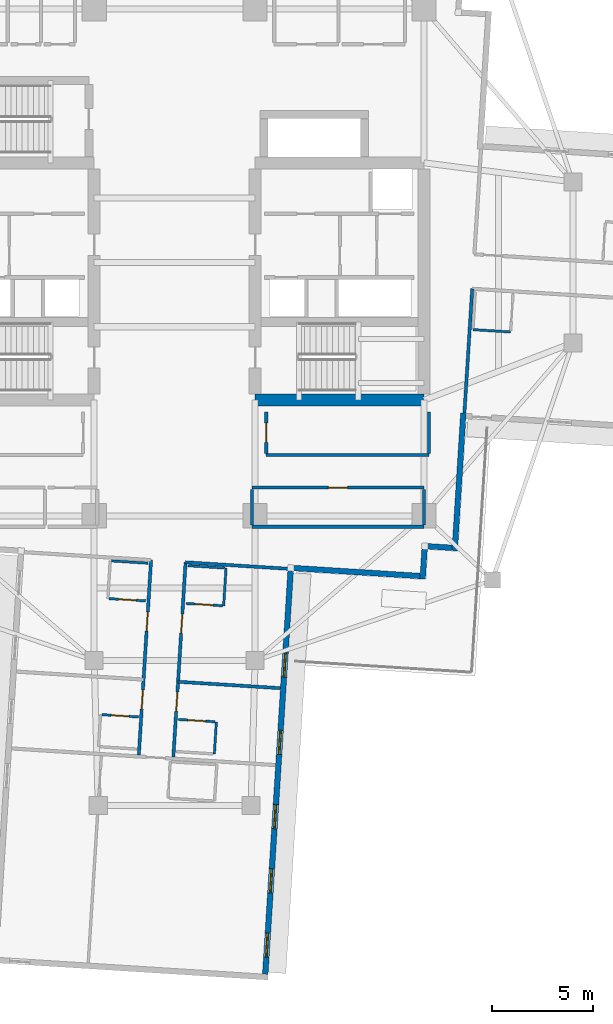
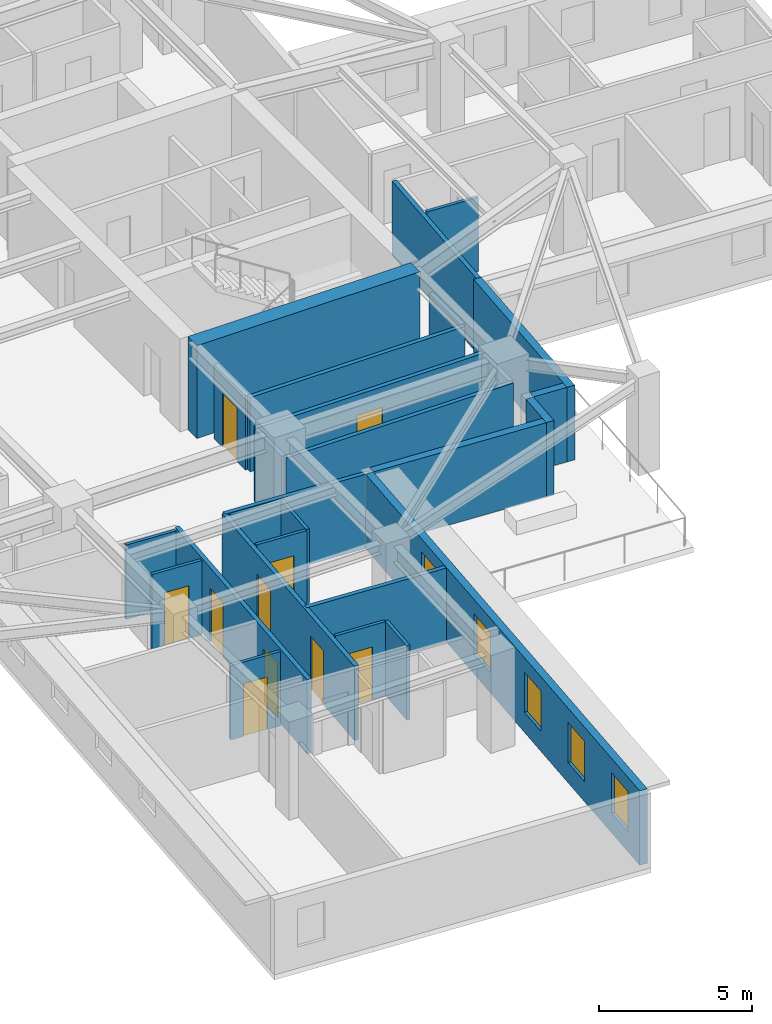
# One storey, part 4 of 14: 27 walls, 10 doors, 5 windows, 15 openings.
"""IFC4 building model written with IfcOpenShell, lengths in metres."""

from ifc_helpers import new_model, si_unit, direction, frame, frame_2d, origin, place, context, subcontext, project, spatial, rectangle, extrude, material, layer, layer_set, type_object, element, fill, save


model = new_model("IFC4")

# Units and contexts
model_context = context("Model", 3, precision=1e-05, world=origin(), true_north=direction((0.0, 1.0)))
body_context = subcontext(model_context, "Body", "Model", "MODEL_VIEW")
ifc_project = project(units=[si_unit("LENGTHUNIT", "METRE"), si_unit("AREAUNIT", "SQUARE_METRE"), si_unit("VOLUMEUNIT", "CUBIC_METRE"), si_unit("PLANEANGLEUNIT", "RADIAN"), si_unit("MASSUNIT", "GRAM", prefix="KILO")], contexts=[model_context])

# Site, building, storey
site_placement = place(None, origin())
site = spatial("IfcSite", under=ifc_project, at=site_placement, CompositionType="ELEMENT")
building_placement = place(site_placement, origin())
building = spatial("IfcBuilding", under=site, at=building_placement, Name="Qingluan Cross Belvedere", CompositionType="ELEMENT")
storey_placement = place(building_placement, frame((0.0, 0.0, 168.300048828125)))
storey = spatial("IfcBuildingStorey", under=building, at=storey_placement, Name="L42", CompositionType="ELEMENT", Elevation=168.300048828125)

# Walls
ifc_material_1 = material(Name="Concrete C60", Category="concrete")
ifc_layer_1 = layer(ifc_material_1, 0.60009765625, Name="CoreShearWall_600")
ifc_layer_set_1 = layer_set([ifc_layer_1], Name="Concrete C60")
wall_type_1 = type_object("IfcWallType", Name="CoreShearWall_600", PredefinedType="SHEAR", material=ifc_layer_set_1)
wall_1_placement = place(storey_placement, frame((4.0, -6.85009765625, 0.0), z_axis=(0.0, 0.0, 1.0), x_axis=(1.0, 0.0, 0.0)))
element("IfcWall", 1, at=wall_1_placement, inside=storey, type_object=wall_type_1, Name="Split core E shear wall L42-S", PredefinedType="SHEAR", context=body_context, shape_type="SweptSolid", body=[
    extrude(rectangle(XDim=8.39990234375, YDim=0.60009765625, at=frame_2d((4.199951171875, 0.0))), origin(), (0.0, 0.0, 1.0), 3.699951171875),
])
ifc_material_2 = material(Name="Gypsum plasterboard on steel stud acoustic partition", Category="steel")
ifc_layer_2 = layer(ifc_material_2, 0.159912109375, Name="CorridorPartition_160")
ifc_layer_set_2 = layer_set([ifc_layer_2], Name="Gypsum plasterboard on steel stud acoustic partition")
wall_type_2 = type_object("IfcWallType", Name="CorridorPartition_160", PredefinedType="PARTITIONING", material=ifc_layer_set_2)
wall_2_placement = place(storey_placement, frame((3.85009765625, -13.14990234375, 0.0), z_axis=(0.0, 0.0, 1.0), x_axis=(1.0, 0.0, 0.0)))
element("IfcWall", 2, at=wall_2_placement, inside=storey, type_object=wall_type_2, Name="Partition L42:q_se:S", PredefinedType="PARTITIONING", context=body_context, shape_type="SweptSolid", body=[
    extrude(rectangle(XDim=8.5498046875, YDim=0.159912109375, at=frame_2d((4.27490234375, 0.0))), origin(), (0.0, 0.0, 1.0), 2.9599609375),
])

# Wall, opening, door
wall_3_placement = place(storey_placement, frame((3.85009765625, -11.199951171875, 0.0), z_axis=(0.0, 0.0, 1.0), x_axis=(1.0, 0.0, 0.0)))
wall_3 = element("IfcWall", 3, at=wall_3_placement, inside=storey, type_object=wall_type_2, Name="Partition L42:q_se:N", PredefinedType="PARTITIONING", context=body_context, shape_type="SweptSolid", body=[
    extrude(rectangle(XDim=8.5498046875, YDim=0.159912109375, at=frame_2d((4.27490234375, 0.0))), origin(), (0.0, 0.0, 1.0), 2.9599609375),
])
opening_1_placement = place(wall_3_placement, frame((3.794921875, 0.0, 0.0)))
opening_1 = element("IfcOpeningElement", 4, at=opening_1_placement, cuts=wall_3, Name="Opening GD-10", PredefinedType="OPENING", context=body_context, shape_type="SweptSolid", body=[
    extrude(rectangle(XDim=0.9599609375, YDim=2.14990234375, at=frame_2d((0.47998046875, 1.074951171875))), frame((0.0, 0.08984375, 0.0), z_axis=(0.0, -1.0, 0.0), x_axis=(1.0, 0.0, 0.0)), (0.0, 0.0, 1.0), 0.179931640625),
])
ifc_material_3 = material(Name="Timber oak fire-rated acoustic guestroom door", Category="wood")
door_type_1 = type_object("IfcDoorType", Name="GuestEntryDoor_FD60", OperationType="NOTDEFINED", PredefinedType="DOOR", material=ifc_material_3)
door_1_placement = place(opening_1_placement, origin())
door_1 = element("IfcDoor", 5, at=door_1_placement, inside=storey, type_object=door_type_1, Name="Green tea pantry L42 door", OperationType="SINGLE_SWING_LEFT", OverallHeight=2.14990234375, OverallWidth=0.9599609375, PredefinedType="DOOR", context=body_context, shape_type="SweptSolid", body=[
    extrude(rectangle(XDim=0.9599609375, YDim=2.14990234375, at=frame_2d((0.47998046875, 1.074951171875))), frame((0.0, 0.02490234375, 0.0), z_axis=(0.0, -1.0, 0.0), x_axis=(1.0, 0.0, 0.0)), (0.0, 0.0, 1.0), 0.050048828125),
])
fill(opening_1, door_1)

# Walls
for number, where, z_axis, x_axis, name in (
    (6, (3.85009765625, -13.06494140625, 0.0), (0.0, 0.0, 1.0), (0.0, 1.0, 0.0), "Partition L42:q_se:W"),
    (7, (12.39990234375, -13.06494140625, 0.0), (0.0, 0.0, 1.0), (0.0, 1.0, 0.0), "Partition L42:q_se:E"),
):
    element("IfcWall", number, at=place(storey_placement, frame(where, z_axis=z_axis, x_axis=x_axis)), inside=storey, type_object=wall_type_2, Name=name, PredefinedType="PARTITIONING", context=body_context, shape_type="SweptSolid", body=[
        extrude(rectangle(XDim=1.780029296875, YDim=0.159912109375, at=frame_2d((0.89013671875, 0.0))), origin(), (0.0, 0.0, 1.0), 2.9599609375),
    ])
wall_4_placement = place(storey_placement, frame((4.550048828125, -9.580078125, 0.0), z_axis=(0.0, 0.0, 1.0), x_axis=(1.0, 0.0, 0.0)))
element("IfcWall", 8, at=wall_4_placement, inside=storey, type_object=wall_type_2, Name="Partition L42:rec_st4:S", PredefinedType="PARTITIONING", context=body_context, shape_type="SweptSolid", body=[
    extrude(rectangle(XDim=8.099853515625, YDim=0.159912109375, at=frame_2d((4.0498046875, 0.0))), origin(), (0.0, 0.0, 1.0), 2.9599609375),
])

# Wall, opening, door
wall_5_placement = place(storey_placement, frame((4.550048828125, -9.4951171875, 0.0), z_axis=(0.0, 0.0, 1.0), x_axis=(0.0, 1.0, 0.0)))
wall_5 = element("IfcWall", 9, at=wall_5_placement, inside=storey, type_object=wall_type_2, Name="Partition L42:rec_st4:W", PredefinedType="PARTITIONING", context=body_context, shape_type="SweptSolid", body=[
    extrude(rectangle(XDim=2.06005859375, YDim=0.159912109375, at=frame_2d((1.030029296875, 0.0))), origin(), (0.0, 0.0, 1.0), 2.9599609375),
])
opening_2_placement = place(wall_5_placement, frame((0.550048828125, 0.0, 0.0)))
opening_2 = element("IfcOpeningElement", 10, at=opening_2_placement, cuts=wall_5, Name="Opening GD-10", PredefinedType="OPENING", context=body_context, shape_type="SweptSolid", body=[
    extrude(rectangle(XDim=0.9599609375, YDim=2.14990234375, at=frame_2d((0.47998046875, 1.074951171875))), frame((0.0, 0.08984375, 0.0), z_axis=(0.0, -1.0, 0.0), x_axis=(1.0, 0.0, 0.0)), (0.0, 0.0, 1.0), 0.179931640625),
])
door_2_placement = place(opening_2_placement, origin())
door_2 = element("IfcDoor", 11, at=door_2_placement, inside=storey, type_object=door_type_1, Name="Southeast club library room L42 door", OperationType="SINGLE_SWING_RIGHT", OverallHeight=2.14990234375, OverallWidth=0.9599609375, PredefinedType="DOOR", context=body_context, shape_type="SweptSolid", body=[
    extrude(rectangle(XDim=0.9599609375, YDim=2.14990234375, at=frame_2d((0.47998046875, 1.074951171875))), frame((0.0, 0.02490234375, 0.0), z_axis=(0.0, -1.0, 0.0), x_axis=(1.0, 0.0, 0.0)), (0.0, 0.0, 1.0), 0.050048828125),
])
fill(opening_2, door_2)

# Walls
wall_6_placement = place(storey_placement, frame((12.64990234375, -9.4951171875, 0.0), z_axis=(0.0, 0.0, 1.0), x_axis=(0.0, 1.0, 0.0)))
element("IfcWall", 12, at=wall_6_placement, inside=storey, type_object=wall_type_2, Name="Partition L42:rec_st4:E", PredefinedType="PARTITIONING", context=body_context, shape_type="SweptSolid", body=[
    extrude(rectangle(XDim=2.06005859375, YDim=0.159912109375, at=frame_2d((1.030029296875, 0.0))), origin(), (0.0, 0.0, 1.0), 2.9599609375),
])
wall_7_placement = place(storey_placement, frame((14.796875, -1.311767578125, 0.0), z_axis=(0.0, 0.0, 1.0), x_axis=(-0.062810311098, -0.998025483051, 0.0)))
element("IfcWall", 13, at=wall_7_placement, inside=storey, type_object=wall_type_2, Name="Partition L42:E:s1", PredefinedType="PARTITIONING", context=body_context, shape_type="SweptSolid", body=[
    extrude(rectangle(XDim=6.19189453125, YDim=0.159912109375, at=frame_2d((3.095947265625, 0.0))), origin(), (0.0, 0.0, 1.0), 2.9599609375),
])

# Wall, openings, doors
wall_8_placement = place(storey_placement, frame((0.544677734375, -14.91357421875, 0.0), z_axis=(0.0, 0.0, 1.0), x_axis=(-0.062796654085, -0.998026342456, 0.0)))
wall_8 = element("IfcWall", 14, at=wall_8_placement, inside=storey, type_object=wall_type_2, Name="Partition L42:S:c0", PredefinedType="PARTITIONING", context=body_context, shape_type="SweptSolid", body=[
    extrude(rectangle(XDim=9.699951171875, YDim=0.159912109375, at=frame_2d((4.85009765625, 0.0))), origin(), (0.0, 0.0, 1.0), 2.9599609375),
])
opening_3_placement = place(wall_8_placement, frame((2.574951171875, 0.0, 0.0)))
opening_3 = element("IfcOpeningElement", 15, at=opening_3_placement, cuts=wall_8, Name="Opening GD-10", PredefinedType="OPENING", context=body_context, shape_type="SweptSolid", body=[
    extrude(rectangle(XDim=0.9599609375, YDim=2.14990234375, at=frame_2d((0.47998046875, 1.074951171875))), frame((0.0, 0.08984375, 0.0), z_axis=(0.0, -1.0, 0.0), x_axis=(1.0, 0.0, 0.0)), (0.0, 0.0, 1.0), 0.179931640625),
])
opening_4_placement = place(wall_8_placement, frame((6.467041015625, 0.0, 0.0)))
opening_4 = element("IfcOpeningElement", 16, at=opening_4_placement, cuts=wall_8, Name="Opening GD-10", PredefinedType="OPENING", context=body_context, shape_type="SweptSolid", body=[
    extrude(rectangle(XDim=0.9599609375, YDim=2.14990234375, at=frame_2d((0.47998046875, 1.074951171875))), frame((0.0, 0.08984375, 0.0), z_axis=(0.0, -1.0, 0.0), x_axis=(1.0, 0.0, 0.0)), (0.0, 0.0, 1.0), 0.179931640625),
])
door_3_placement = place(opening_3_placement, origin())
door_3 = element("IfcDoor", 17, at=door_3_placement, inside=storey, type_object=door_type_1, Name="Guest entry fire door 4215", OperationType="SINGLE_SWING_RIGHT", OverallHeight=2.14990234375, OverallWidth=0.9599609375, PredefinedType="DOOR", context=body_context, shape_type="SweptSolid", body=[
    extrude(rectangle(XDim=0.9599609375, YDim=2.14990234375, at=frame_2d((0.47998046875, 1.074951171875))), frame((0.0, 0.02490234375, 0.0), z_axis=(0.0, -1.0, 0.0), x_axis=(1.0, 0.0, 0.0)), (0.0, 0.0, 1.0), 0.050048828125),
])
fill(opening_3, door_3)
door_4_placement = place(opening_4_placement, origin())
door_4 = element("IfcDoor", 18, at=door_4_placement, inside=storey, type_object=door_type_1, Name="Guest entry fire door 4216", OperationType="SINGLE_SWING_RIGHT", OverallHeight=2.14990234375, OverallWidth=0.9599609375, PredefinedType="DOOR", context=body_context, shape_type="SweptSolid", body=[
    extrude(rectangle(XDim=0.9599609375, YDim=2.14990234375, at=frame_2d((0.47998046875, 1.074951171875))), frame((0.0, 0.02490234375, 0.0), z_axis=(0.0, -1.0, 0.0), x_axis=(1.0, 0.0, 0.0)), (0.0, 0.0, 1.0), 0.050048828125),
])
fill(opening_4, door_4)

# Walls
wall_9_placement = place(storey_placement, frame((0.544677734375, -14.91357421875, 0.0), z_axis=(0.0, 0.0, 1.0), x_axis=(0.998025838074, -0.062804669704, 0.0)))
element("IfcWall", 19, at=wall_9_placement, inside=storey, type_object=wall_type_2, Name="Partition L42:S:s0", PredefinedType="PARTITIONING", context=body_context, shape_type="SweptSolid", body=[
    extrude(rectangle(XDim=5.239990234375, YDim=0.159912109375, at=frame_2d((2.6201171875, 0.0))), origin(), (0.0, 0.0, 1.0), 2.9599609375),
])
wall_10_placement = place(storey_placement, frame((0.1708984375, -20.851806640625, 0.0), z_axis=(0.0, 0.0, 1.0), x_axis=(0.998025621735, -0.06280810744, 0.0)))
element("IfcWall", 20, at=wall_10_placement, inside=storey, type_object=wall_type_2, Name="Partition L42:S:d0_0", PredefinedType="PARTITIONING", context=body_context, shape_type="SweptSolid", body=[
    extrude(rectangle(XDim=5.092041015625, YDim=0.159912109375, at=frame_2d((2.5458984375, 0.0))), origin(), (0.0, 0.0, 1.0), 2.9599609375),
])

# Wall, openings, doors
wall_11_placement = place(storey_placement, frame((-1.172119140625, -14.8056640625, 0.0), z_axis=(0.0, 0.0, 1.0), x_axis=(-0.062771584278, -0.998027919553, 0.0)))
wall_11 = element("IfcWall", 21, at=wall_11_placement, inside=storey, type_object=wall_type_2, Name="Partition L42:S:c1", PredefinedType="PARTITIONING", context=body_context, shape_type="SweptSolid", body=[
    extrude(rectangle(XDim=9.699951171875, YDim=0.159912109375, at=frame_2d((4.85009765625, 0.0))), origin(), (0.0, 0.0, 1.0), 2.9599609375),
])
opening_5_placement = place(wall_11_placement, frame((2.574951171875, 0.0, 0.0)))
opening_5 = element("IfcOpeningElement", 22, at=opening_5_placement, cuts=wall_11, Name="Opening GD-10", PredefinedType="OPENING", context=body_context, shape_type="SweptSolid", body=[
    extrude(rectangle(XDim=0.9599609375, YDim=2.14990234375, at=frame_2d((0.47998046875, 1.074951171875))), frame((0.0, 0.08984375, 0.0), z_axis=(0.0, -1.0, 0.0), x_axis=(1.0, 0.0, 0.0)), (0.0, 0.0, 1.0), 0.179931640625),
])
opening_6_placement = place(wall_11_placement, frame((6.467041015625, 0.0, 0.0)))
opening_6 = element("IfcOpeningElement", 23, at=opening_6_placement, cuts=wall_11, Name="Opening GD-10", PredefinedType="OPENING", context=body_context, shape_type="SweptSolid", body=[
    extrude(rectangle(XDim=0.9599609375, YDim=2.14990234375, at=frame_2d((0.47998046875, 1.074951171875))), frame((0.0, 0.08984375, 0.0), z_axis=(0.0, -1.0, 0.0), x_axis=(1.0, 0.0, 0.0)), (0.0, 0.0, 1.0), 0.179931640625),
])
door_5_placement = place(opening_5_placement, origin())
door_5 = element("IfcDoor", 24, at=door_5_placement, inside=storey, type_object=door_type_1, Name="Guest entry fire door 4217", OperationType="SINGLE_SWING_RIGHT", OverallHeight=2.14990234375, OverallWidth=0.9599609375, PredefinedType="DOOR", context=body_context, shape_type="SweptSolid", body=[
    extrude(rectangle(XDim=0.9599609375, YDim=2.14990234375, at=frame_2d((0.47998046875, 1.074951171875))), frame((0.0, 0.02490234375, 0.0), z_axis=(0.0, -1.0, 0.0), x_axis=(1.0, 0.0, 0.0)), (0.0, 0.0, 1.0), 0.050048828125),
])
fill(opening_5, door_5)
door_6_placement = place(opening_6_placement, origin())
door_6 = element("IfcDoor", 25, at=door_6_placement, inside=storey, type_object=door_type_1, Name="Guest entry fire door 4218", OperationType="SINGLE_SWING_RIGHT", OverallHeight=2.14990234375, OverallWidth=0.9599609375, PredefinedType="DOOR", context=body_context, shape_type="SweptSolid", body=[
    extrude(rectangle(XDim=0.9599609375, YDim=2.14990234375, at=frame_2d((0.47998046875, 1.074951171875))), frame((0.0, 0.02490234375, 0.0), z_axis=(0.0, -1.0, 0.0), x_axis=(1.0, 0.0, 0.0)), (0.0, 0.0, 1.0), 0.050048828125),
])
fill(opening_6, door_6)

# Wall
ifc_material_4 = material(Name="Moisture-resistant gypsum board lining")
ifc_layer_3 = layer(ifc_material_4, 0.1201171875, Name="EnsuiteWetPartition_120")
ifc_layer_set_3 = layer_set([ifc_layer_3], Name="Moisture-resistant gypsum board lining")
wall_type_3 = type_object("IfcWallType", Name="EnsuiteWetPartition_120", PredefinedType="PARTITIONING", material=ifc_layer_set_3)
wall_12_placement = place(storey_placement, frame((14.829345703125, -3.3427734375, 0.0), z_axis=(0.0, 0.0, 1.0), x_axis=(0.998031300018, -0.062717813936, 0.0)))
element("IfcWall", 26, at=wall_12_placement, inside=storey, type_object=wall_type_3, Name="Partition L42:E:bc1_0", PredefinedType="PARTITIONING", context=body_context, shape_type="SweptSolid", body=[
    extrude(rectangle(XDim=1.880126953125, YDim=0.1201171875, at=frame_2d((0.93994140625, 0.0))), origin(), (0.0, 0.0, 1.0), 2.9599609375),
])

# Wall, opening, door
wall_13_placement = place(storey_placement, frame((0.556396484375, -16.95849609375, 0.0), z_axis=(0.0, 0.0, 1.0), x_axis=(0.998027443946, -0.062779145668, 0.0)))
wall_13 = element("IfcWall", 27, at=wall_13_placement, inside=storey, type_object=wall_type_3, Name="Partition L42:S:bs0_0", PredefinedType="PARTITIONING", context=body_context, shape_type="SweptSolid", body=[
    extrude(rectangle(XDim=1.820068359375, YDim=0.1201171875, at=frame_2d((0.91015625, 0.0))), origin(), (0.0, 0.0, 1.0), 2.9599609375),
])
opening_7_placement = place(wall_13_placement, frame((0.469970703125, 0.0, 0.0)))
opening_7 = element("IfcOpeningElement", 28, at=opening_7_placement, cuts=wall_13, Name="Opening BD-09", PredefinedType="OPENING", context=body_context, shape_type="SweptSolid", body=[
    extrude(rectangle(XDim=0.8798828125, YDim=2.10009765625, at=frame_2d((0.43994140625, 1.050048828125))), frame((0.0, 0.070068359375, 0.0), z_axis=(0.0, -1.0, 0.0), x_axis=(1.0, 0.0, 0.0)), (0.0, 0.0, 1.0), 0.14013671875),
])
ifc_material_5 = material(Name="Moisture-sealed timber en-suite door", Category="wood")
door_type_2 = type_object("IfcDoorType", Name="BathroomDoor_880", OperationType="NOTDEFINED", PredefinedType="DOOR", material=ifc_material_5)
door_7_placement = place(opening_7_placement, origin())
door_7 = element("IfcDoor", 29, at=door_7_placement, inside=storey, type_object=door_type_2, Name="Bathroom door 4215", OperationType="SINGLE_SWING_LEFT", OverallHeight=2.10009765625, OverallWidth=0.8798828125, PredefinedType="DOOR", context=body_context, shape_type="SweptSolid", body=[
    extrude(rectangle(XDim=0.8798828125, YDim=2.10009765625, at=frame_2d((0.43994140625, 1.050048828125))), frame((0.0, 0.02490234375, 0.0), z_axis=(0.0, -1.0, 0.0), x_axis=(1.0, 0.0, 0.0)), (0.0, 0.0, 1.0), 0.050048828125),
])
fill(opening_7, door_7)

# Walls
wall_14_placement = place(storey_placement, frame((0.67431640625, -15.08203125, 0.0), z_axis=(0.0, 0.0, 1.0), x_axis=(0.998027443946, -0.062779145668, 0.0)))
element("IfcWall", 30, at=wall_14_placement, inside=storey, type_object=wall_type_3, Name="Partition L42:S:bw0_0", PredefinedType="PARTITIONING", context=body_context, shape_type="SweptSolid", body=[
    extrude(rectangle(XDim=1.820068359375, YDim=0.1201171875, at=frame_2d((0.91015625, 0.0))), origin(), (0.0, 0.0, 1.0), 2.9599609375),
])
wall_15_placement = place(storey_placement, frame((2.5556640625, -15.200439453125, 0.0), z_axis=(0.0, 0.0, 1.0), x_axis=(-0.062847152131, -0.998023163794, 0.0)))
element("IfcWall", 31, at=wall_15_placement, inside=storey, type_object=wall_type_3, Name="Partition L42:S:bn0_0", PredefinedType="PARTITIONING", context=body_context, shape_type="SweptSolid", body=[
    extrude(rectangle(XDim=1.880126953125, YDim=0.1201171875, at=frame_2d((0.93994140625, 0.0))), origin(), (0.0, 0.0, 1.0), 2.9599609375),
])

# Wall, opening, door
wall_16_placement = place(storey_placement, frame((0.193359375, -22.72705078125, 0.0), z_axis=(0.0, 0.0, 1.0), x_axis=(0.998027443946, -0.062779145668, 0.0)))
wall_16 = element("IfcWall", 32, at=wall_16_placement, inside=storey, type_object=wall_type_3, Name="Partition L42:S:bs0_1", PredefinedType="PARTITIONING", context=body_context, shape_type="SweptSolid", body=[
    extrude(rectangle(XDim=1.820068359375, YDim=0.1201171875, at=frame_2d((0.91015625, 0.0))), origin(), (0.0, 0.0, 1.0), 2.9599609375),
])
opening_8_placement = place(wall_16_placement, frame((0.469970703125, 0.0, 0.0)))
opening_8 = element("IfcOpeningElement", 33, at=opening_8_placement, cuts=wall_16, Name="Opening BD-09", PredefinedType="OPENING", context=body_context, shape_type="SweptSolid", body=[
    extrude(rectangle(XDim=0.8798828125, YDim=2.10009765625, at=frame_2d((0.43994140625, 1.050048828125))), frame((0.0, 0.070068359375, 0.0), z_axis=(0.0, -1.0, 0.0), x_axis=(1.0, 0.0, 0.0)), (0.0, 0.0, 1.0), 0.14013671875),
])
door_8_placement = place(opening_8_placement, origin())
door_8 = element("IfcDoor", 34, at=door_8_placement, inside=storey, type_object=door_type_2, Name="Bathroom door 4216", OperationType="SINGLE_SWING_LEFT", OverallHeight=2.10009765625, OverallWidth=0.8798828125, PredefinedType="DOOR", context=body_context, shape_type="SweptSolid", body=[
    extrude(rectangle(XDim=0.8798828125, YDim=2.10009765625, at=frame_2d((0.43994140625, 1.050048828125))), frame((0.0, 0.02490234375, 0.0), z_axis=(0.0, -1.0, 0.0), x_axis=(1.0, 0.0, 0.0)), (0.0, 0.0, 1.0), 0.050048828125),
])
fill(opening_8, door_8)

# Wall
wall_17_placement = place(storey_placement, frame((2.07470703125, -22.84521484375, 0.0), z_axis=(0.0, 0.0, 1.0), x_axis=(-0.062862733403, -0.998022182494, 0.0)))
element("IfcWall", 35, at=wall_17_placement, inside=storey, type_object=wall_type_3, Name="Partition L42:S:bn0_1", PredefinedType="PARTITIONING", context=body_context, shape_type="SweptSolid", body=[
    extrude(rectangle(XDim=1.60009765625, YDim=0.1201171875, at=frame_2d((0.800048828125, 0.0))), origin(), (0.0, 0.0, 1.0), 2.9599609375),
])

# Wall, opening, door
wall_18_placement = place(storey_placement, frame((-3.256103515625, -16.718505859375, 0.0), z_axis=(0.0, 0.0, 1.0), x_axis=(0.998027443946, -0.062779145668, 0.0)))
wall_18 = element("IfcWall", 36, at=wall_18_placement, inside=storey, type_object=wall_type_3, Name="Partition L42:S:bs1_0", PredefinedType="PARTITIONING", context=body_context, shape_type="SweptSolid", body=[
    extrude(rectangle(XDim=1.820068359375, YDim=0.1201171875, at=frame_2d((0.91015625, 0.0))), origin(), (0.0, 0.0, 1.0), 2.9599609375),
])
opening_9_placement = place(wall_18_placement, frame((0.469970703125, 0.0, 0.0)))
opening_9 = element("IfcOpeningElement", 37, at=opening_9_placement, cuts=wall_18, Name="Opening BD-09", PredefinedType="OPENING", context=body_context, shape_type="SweptSolid", body=[
    extrude(rectangle(XDim=0.8798828125, YDim=2.10009765625, at=frame_2d((0.43994140625, 1.050048828125))), frame((0.0, 0.070068359375, 0.0), z_axis=(0.0, -1.0, 0.0), x_axis=(1.0, 0.0, 0.0)), (0.0, 0.0, 1.0), 0.14013671875),
])
door_9_placement = place(opening_9_placement, origin())
door_9 = element("IfcDoor", 38, at=door_9_placement, inside=storey, type_object=door_type_2, Name="Bathroom door 4217", OperationType="SINGLE_SWING_LEFT", OverallHeight=2.10009765625, OverallWidth=0.8798828125, PredefinedType="DOOR", context=body_context, shape_type="SweptSolid", body=[
    extrude(rectangle(XDim=0.8798828125, YDim=2.10009765625, at=frame_2d((0.43994140625, 1.050048828125))), frame((0.0, 0.02490234375, 0.0), z_axis=(0.0, -1.0, 0.0), x_axis=(1.0, 0.0, 0.0)), (0.0, 0.0, 1.0), 0.050048828125),
])
fill(opening_9, door_9)

# Wall
wall_19_placement = place(storey_placement, frame((-3.13818359375, -14.84228515625, 0.0), z_axis=(0.0, 0.0, 1.0), x_axis=(0.998027443946, -0.062779145668, 0.0)))
element("IfcWall", 39, at=wall_19_placement, inside=storey, type_object=wall_type_3, Name="Partition L42:S:bw1_0", PredefinedType="PARTITIONING", context=body_context, shape_type="SweptSolid", body=[
    extrude(rectangle(XDim=1.820068359375, YDim=0.1201171875, at=frame_2d((0.91015625, 0.0))), origin(), (0.0, 0.0, 1.0), 2.9599609375),
])

# Wall, opening, door
wall_20_placement = place(storey_placement, frame((-3.619140625, -22.487060546875, 0.0), z_axis=(0.0, 0.0, 1.0), x_axis=(0.998027443946, -0.062779145668, 0.0)))
wall_20 = element("IfcWall", 40, at=wall_20_placement, inside=storey, type_object=wall_type_3, Name="Partition L42:S:bs1_1", PredefinedType="PARTITIONING", context=body_context, shape_type="SweptSolid", body=[
    extrude(rectangle(XDim=1.820068359375, YDim=0.1201171875, at=frame_2d((0.91015625, 0.0))), origin(), (0.0, 0.0, 1.0), 2.9599609375),
])
opening_10_placement = place(wall_20_placement, frame((0.469970703125, 0.0, 0.0)))
opening_10 = element("IfcOpeningElement", 41, at=opening_10_placement, cuts=wall_20, Name="Opening BD-09", PredefinedType="OPENING", context=body_context, shape_type="SweptSolid", body=[
    extrude(rectangle(XDim=0.8798828125, YDim=2.10009765625, at=frame_2d((0.43994140625, 1.050048828125))), frame((0.0, 0.070068359375, 0.0), z_axis=(0.0, -1.0, 0.0), x_axis=(1.0, 0.0, 0.0)), (0.0, 0.0, 1.0), 0.14013671875),
])
door_10_placement = place(opening_10_placement, origin())
door_10 = element("IfcDoor", 42, at=door_10_placement, inside=storey, type_object=door_type_2, Name="Bathroom door 4218", OperationType="SINGLE_SWING_LEFT", OverallHeight=2.10009765625, OverallWidth=0.8798828125, PredefinedType="DOOR", context=body_context, shape_type="SweptSolid", body=[
    extrude(rectangle(XDim=0.8798828125, YDim=2.10009765625, at=frame_2d((0.43994140625, 1.050048828125))), frame((0.0, 0.02490234375, 0.0), z_axis=(0.0, -1.0, 0.0), x_axis=(1.0, 0.0, 0.0)), (0.0, 0.0, 1.0), 0.050048828125),
])
fill(opening_10, door_10)

# Wall, openings, windows
ifc_material_6 = material(Name="Precast concrete C45", Category="concrete")
ifc_layer_4 = layer(ifc_material_6, 0.280029296875, Name="PrecastFacadeWall_280")
ifc_layer_set_4 = layer_set([ifc_layer_4], Name="Precast concrete C45")
wall_type_4 = type_object("IfcWallType", Name="PrecastFacadeWall_280", PredefinedType="STANDARD", material=ifc_layer_set_4)
wall_21_placement = place(storey_placement, frame((4.506591796875, -35.392822265625, 0.0), z_axis=(0.0, 0.0, 1.0), x_axis=(0.062784355807, 0.998027116198, 0.0)))
wall_21 = element("IfcWall", 43, at=wall_21_placement, inside=storey, type_object=wall_type_4, Name="Facade wall L42-SB", PredefinedType="STANDARD", context=body_context, shape_type="SweptSolid", body=[
    extrude(rectangle(XDim=20.099853515625, YDim=0.280029296875, at=frame_2d((10.0498046875, 0.0))), origin(), (0.0, 0.0, 1.0), 2.969970703125),
])
opening_11_placement = place(wall_21_placement, frame((0.85009765625, 0.0, 0.800048828125)))
opening_11 = element("IfcOpeningElement", 44, at=opening_11_placement, cuts=wall_21, Name="Opening W-02", PredefinedType="OPENING", context=body_context, shape_type="SweptSolid", body=[
    extrude(rectangle(XDim=1.199951171875, YDim=1.60009765625, at=frame_2d((0.60009765625, 0.800048828125))), frame((0.0, 0.14990234375, 0.0), z_axis=(0.0, -1.0, 0.0), x_axis=(1.0, 0.0, 0.0)), (0.0, 0.0, 1.0), 0.300048828125),
])
opening_12_placement = place(wall_21_placement, frame((4.050048828125, 0.0, 0.800048828125)))
opening_12 = element("IfcOpeningElement", 45, at=opening_12_placement, cuts=wall_21, Name="Opening W-02", PredefinedType="OPENING", context=body_context, shape_type="SweptSolid", body=[
    extrude(rectangle(XDim=1.199951171875, YDim=1.60009765625, at=frame_2d((0.60009765625, 0.800048828125))), frame((0.0, 0.14990234375, 0.0), z_axis=(0.0, -1.0, 0.0), x_axis=(1.0, 0.0, 0.0)), (0.0, 0.0, 1.0), 0.300048828125),
])
opening_13_placement = place(wall_21_placement, frame((7.25, 0.0, 0.800048828125)))
opening_13 = element("IfcOpeningElement", 46, at=opening_13_placement, cuts=wall_21, Name="Opening W-02", PredefinedType="OPENING", context=body_context, shape_type="SweptSolid", body=[
    extrude(rectangle(XDim=1.199951171875, YDim=1.60009765625, at=frame_2d((0.60009765625, 0.800048828125))), frame((0.0, 0.14990234375, 0.0), z_axis=(0.0, -1.0, 0.0), x_axis=(1.0, 0.0, 0.0)), (0.0, 0.0, 1.0), 0.300048828125),
])
opening_14_placement = place(wall_21_placement, frame((10.949951171875, 0.0, 0.800048828125)))
opening_14 = element("IfcOpeningElement", 47, at=opening_14_placement, cuts=wall_21, Name="Opening W-02", PredefinedType="OPENING", context=body_context, shape_type="SweptSolid", body=[
    extrude(rectangle(XDim=1.199951171875, YDim=1.60009765625, at=frame_2d((0.60009765625, 0.800048828125))), frame((0.0, 0.14990234375, 0.0), z_axis=(0.0, -1.0, 0.0), x_axis=(1.0, 0.0, 0.0)), (0.0, 0.0, 1.0), 0.300048828125),
])
opening_15_placement = place(wall_21_placement, frame((14.799072265625, 0.0, 0.85009765625)))
opening_15 = element("IfcOpeningElement", 48, at=opening_15_placement, cuts=wall_21, Name="Opening W-02", PredefinedType="OPENING", context=body_context, shape_type="SweptSolid", body=[
    extrude(rectangle(XDim=1.199951171875, YDim=1.60009765625, at=frame_2d((0.60009765625, 0.800048828125))), frame((0.0, 0.14990234375, 0.0), z_axis=(0.0, -1.0, 0.0), x_axis=(1.0, 0.0, 0.0)), (0.0, 0.0, 1.0), 0.300048828125),
])
ifc_material_7 = material(Name="Thermally broken triple Low-E glass in aluminium frame", Category="aluminium")
window_type = type_object("IfcWindowType", Name="TriRibbonWin_1200x1600", PartitioningType="SINGLE_PANEL", PredefinedType="WINDOW", material=ifc_material_7)
window_1_placement = place(opening_11_placement, origin())
window_1 = element("IfcWindow", 49, at=window_1_placement, inside=storey, type_object=window_type, Name="Ribbon window L42-SB-1", OverallHeight=1.60009765625, OverallWidth=1.199951171875, PartitioningType="SINGLE_PANEL", PredefinedType="WINDOW", context=body_context, shape_type="SweptSolid", body=[
    extrude(rectangle(XDim=1.199951171875, YDim=1.60009765625, at=frame_2d((0.60009765625, 0.800048828125))), frame((0.0, 0.030029296875, 0.0), z_axis=(0.0, -1.0, 0.0), x_axis=(1.0, 0.0, 0.0)), (0.0, 0.0, 1.0), 0.06005859375),
])
fill(opening_11, window_1)
window_2_placement = place(opening_12_placement, origin())
window_2 = element("IfcWindow", 50, at=window_2_placement, inside=storey, type_object=window_type, Name="Ribbon window L42-SB-2", OverallHeight=1.60009765625, OverallWidth=1.199951171875, PartitioningType="SINGLE_PANEL", PredefinedType="WINDOW", context=body_context, shape_type="SweptSolid", body=[
    extrude(rectangle(XDim=1.199951171875, YDim=1.60009765625, at=frame_2d((0.60009765625, 0.800048828125))), frame((0.0, 0.030029296875, 0.0), z_axis=(0.0, -1.0, 0.0), x_axis=(1.0, 0.0, 0.0)), (0.0, 0.0, 1.0), 0.06005859375),
])
fill(opening_12, window_2)
window_3_placement = place(opening_13_placement, origin())
window_3 = element("IfcWindow", 51, at=window_3_placement, inside=storey, type_object=window_type, Name="Ribbon window L42-SB-3", OverallHeight=1.60009765625, OverallWidth=1.199951171875, PartitioningType="SINGLE_PANEL", PredefinedType="WINDOW", context=body_context, shape_type="SweptSolid", body=[
    extrude(rectangle(XDim=1.199951171875, YDim=1.60009765625, at=frame_2d((0.60009765625, 0.800048828125))), frame((0.0, 0.030029296875, 0.0), z_axis=(0.0, -1.0, 0.0), x_axis=(1.0, 0.0, 0.0)), (0.0, 0.0, 1.0), 0.06005859375),
])
fill(opening_13, window_3)
window_4_placement = place(opening_14_placement, origin())
window_4 = element("IfcWindow", 52, at=window_4_placement, inside=storey, type_object=window_type, Name="Ribbon window L42-SB-4", OverallHeight=1.60009765625, OverallWidth=1.199951171875, PartitioningType="SINGLE_PANEL", PredefinedType="WINDOW", context=body_context, shape_type="SweptSolid", body=[
    extrude(rectangle(XDim=1.199951171875, YDim=1.60009765625, at=frame_2d((0.60009765625, 0.800048828125))), frame((0.0, 0.030029296875, 0.0), z_axis=(0.0, -1.0, 0.0), x_axis=(1.0, 0.0, 0.0)), (0.0, 0.0, 1.0), 0.06005859375),
])
fill(opening_14, window_4)
window_5_placement = place(opening_15_placement, origin())
window_5 = element("IfcWindow", 53, at=window_5_placement, inside=storey, type_object=window_type, Name="Corner hotel suite 4215 daylight window", OverallHeight=1.60009765625, OverallWidth=1.199951171875, PartitioningType="SINGLE_PANEL", PredefinedType="WINDOW", context=body_context, shape_type="SweptSolid", body=[
    extrude(rectangle(XDim=1.199951171875, YDim=1.60009765625, at=frame_2d((0.60009765625, 0.800048828125))), frame((0.0, 0.030029296875, 0.0), z_axis=(0.0, -1.0, 0.0), x_axis=(1.0, 0.0, 0.0)), (0.0, 0.0, 1.0), 0.06005859375),
])
fill(opening_15, window_5)

# Walls
wall_22_placement = place(storey_placement, frame((14.357666015625, -7.496337890625, 0.0), z_axis=(0.0, 0.0, 1.0), x_axis=(-0.062779317195, -0.998027433156, 0.0)))
element("IfcWall", 54, at=wall_22_placement, inside=storey, type_object=wall_type_4, Name="Corner wall L42-SE1", PredefinedType="STANDARD", context=body_context, shape_type="SweptSolid", body=[
    extrude(rectangle(XDim=6.85986328125, YDim=0.280029296875, at=frame_2d((3.429931640625, 0.0))), origin(), (0.0, 0.0, 1.0), 2.969970703125),
])
wall_23_placement = place(storey_placement, frame((13.7958984375, -14.1943359375, 0.0), z_axis=(0.0, 0.0, 1.0), x_axis=(-0.998023660242, 0.06283926796, 0.0)))
element("IfcWall", 55, at=wall_23_placement, inside=storey, type_object=wall_type_4, Name="Corner wall L42-SE2", PredefinedType="STANDARD", context=body_context, shape_type="SweptSolid", body=[
    extrude(rectangle(XDim=1.219970703125, YDim=0.280029296875, at=frame_2d((0.60986328125, 0.0))), origin(), (0.0, 0.0, 1.0), 2.969970703125),
])
wall_24_placement = place(storey_placement, frame((12.429931640625, -14.24853515625, 0.0), z_axis=(0.0, 0.0, 1.0), x_axis=(-0.062824119533, -0.998024613927, 0.0)))
element("IfcWall", 56, at=wall_24_placement, inside=storey, type_object=wall_type_4, Name="Corner wall L42-SE3", PredefinedType="STANDARD", context=body_context, shape_type="SweptSolid", body=[
    extrude(rectangle(XDim=1.5, YDim=0.280029296875, at=frame_2d((0.75, 0.0))), origin(), (0.0, 0.0, 1.0), 2.969970703125),
])
wall_25_placement = place(storey_placement, frame((12.20458984375, -15.59716796875, 0.0), z_axis=(0.0, 0.0, 1.0), x_axis=(-0.998024885752, 0.062819801181, 0.0)))
element("IfcWall", 57, at=wall_25_placement, inside=storey, type_object=wall_type_4, Name="Corner wall L42-SE4", PredefinedType="STANDARD", context=body_context, shape_type="SweptSolid", body=[
    extrude(rectangle(XDim=6.2998046875, YDim=0.280029296875, at=frame_2d((3.14990234375, 0.0))), origin(), (0.0, 0.0, 1.0), 2.969970703125),
])

save(model, "model.ifc")
